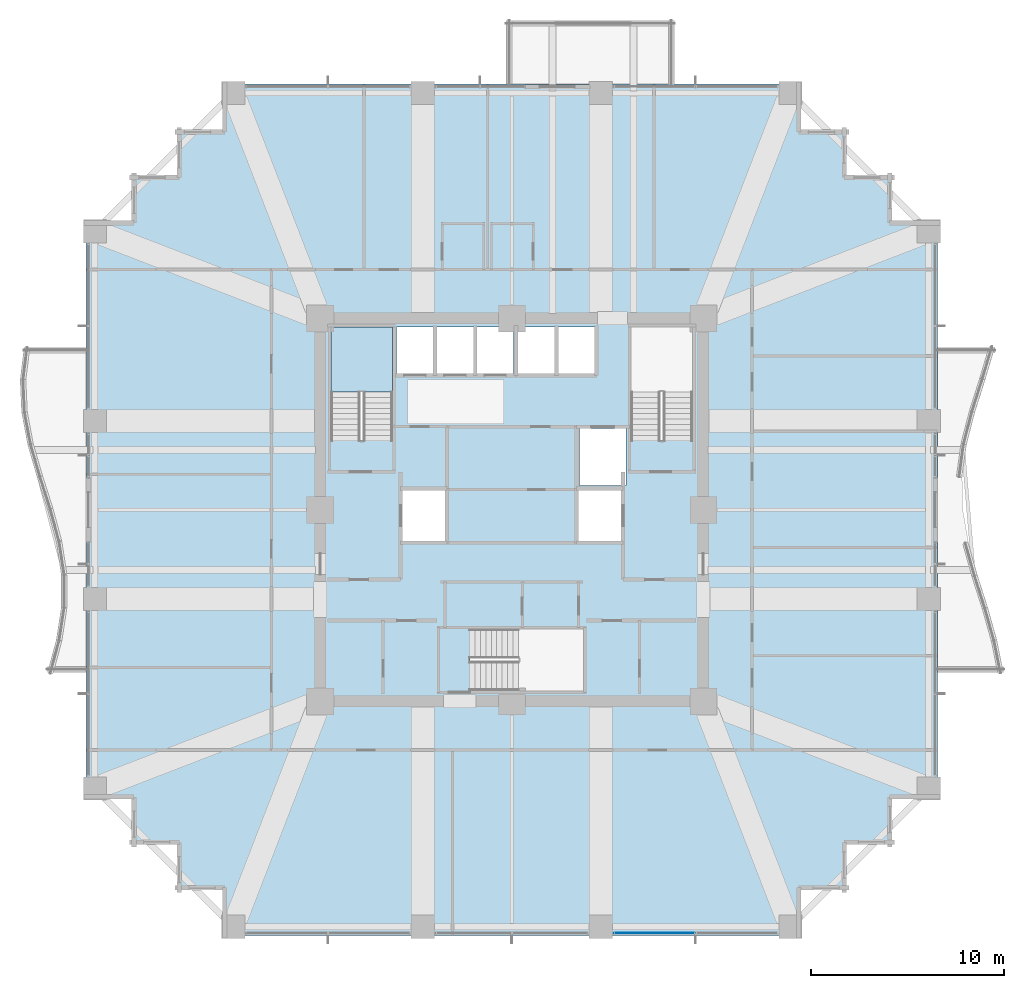
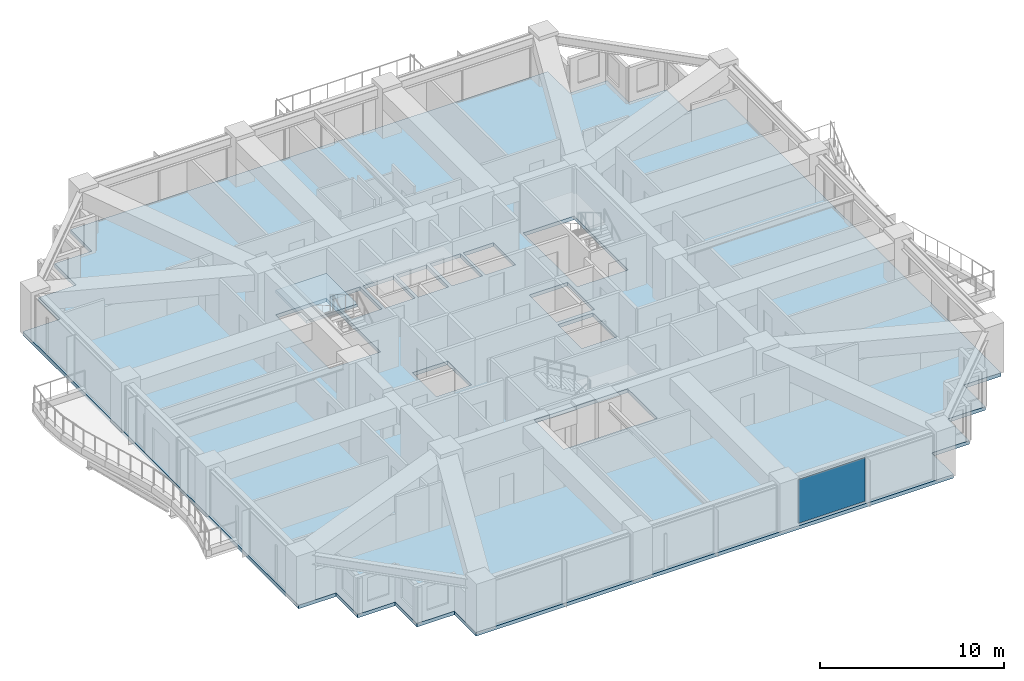
# One storey, part 29 of 39: 2 slabs, 1 plate, 2 elements without a shape of their own.
"""IFC4 building model written with IfcOpenShell, lengths in metres."""

from ifc_helpers import new_model, si_unit, direction, frame, origin, origin_2d, place, context, subcontext, project, spatial, polyline, rectangle, outline, extrude, material, layer, layer_set, type_object, element, aggregate, save


model = new_model("IFC4")

# Units and contexts
model_context = context("Model", 3, precision=1e-05, world=origin(), true_north=direction((0.0, 1.0)))
body_context = subcontext(model_context, "Body", "Model", "MODEL_VIEW")
ifc_project = project(units=[si_unit("LENGTHUNIT", "METRE"), si_unit("AREAUNIT", "SQUARE_METRE"), si_unit("VOLUMEUNIT", "CUBIC_METRE"), si_unit("PLANEANGLEUNIT", "RADIAN"), si_unit("MASSUNIT", "GRAM", prefix="KILO")], contexts=[model_context])

# Site, building, storey
site_placement = place(None, origin())
site = spatial("IfcSite", under=ifc_project, at=site_placement, CompositionType="ELEMENT")
building_placement = place(site_placement, origin())
building = spatial("IfcBuilding", under=site, at=building_placement, Name="Kolvaren Belvedere", CompositionType="ELEMENT")
storey_placement = place(building_placement, frame((0.0, 0.0, 33.699951171875)))
storey = spatial("IfcBuildingStorey", under=building, at=storey_placement, Name="L09", CompositionType="ELEMENT", Elevation=33.699951171875)

# Curtain wall, plate
ifc_material_1 = material(Name="Anodised pale-metal aluminium AA 6063-T6", Category="aluminium")
curtain_wall_type = type_object("IfcCurtainWallType", Name="CW-Z1-LOW", PredefinedType="NOTDEFINED", material=ifc_material_1)
curtain_wall_placement = place(storey_placement, origin())
curtain_wall = element("IfcCurtainWall", 1, at=curtain_wall_placement, inside=storey, type_object=curtain_wall_type, Name="L09 Unitised Curtain Wall FCW-L09-S-B1", PredefinedType="NOTDEFINED")
ifc_material_2 = material(Name="Low-iron triple insulated glass", Category="glass")
ifc_layer_1 = layer(ifc_material_2, 0.028076171875)
ifc_layer_set_1 = layer_set([ifc_layer_1], Name="Low-iron triple insulated glass")
plate_type = type_object("IfcPlateType", Name="CW-PNL-VIS28", PredefinedType="CURTAIN_PANEL", material=ifc_layer_set_1)
plate_placement = place(storey_placement, frame((7.37744140625, -21.8798828125, 0.080078125), z_axis=(0.0, 0.0, 1.0), x_axis=(-1.0, 0.0, 0.0)))
plate = element("IfcPlate", 2, at=plate_placement, type_object=plate_type, Name="FCW-L09-S-B1 Vision Glazing Panel 2", PredefinedType="CURTAIN_PANEL", context=body_context, shape_type="SweptSolid", body=[
    extrude(rectangle(XDim=4.1650390625, YDim=0.028076171875, at=origin_2d()), origin(), (0.0, 0.0, 1.0), 2.89990234375),
])
aggregate(curtain_wall, [plate])

# Slab
ifc_material_3 = material(Name="Concrete C50/60", Category="concrete")
ifc_layer_2 = layer(ifc_material_3, 0.239990234375)
ifc_layer_set_2 = layer_set([ifc_layer_2], Name="Concrete C50/60")
slab_type_1 = type_object("IfcSlabType", Name="SL-FLR-240", PredefinedType="FLOOR", material=ifc_layer_set_2)
slab_1_placement = place(storey_placement, frame((0.0, 0.0, -0.239990234375)))
element("IfcSlab", 3, at=slab_1_placement, inside=storey, type_object=slab_type_1, Name="L09 Primary Structural Slab", PredefinedType="FLOOR", context=body_context, shape_type="SweptSolid", body=[
    extrude(outline(polyline([(-14.949951171875, -22.0), (14.949951171875, -22.0), (14.949951171875, -19.64990234375), (17.300048828125, -19.64990234375), (17.300048828125, -17.300048828125), (19.64990234375, -17.300048828125), (19.64990234375, -14.949951171875), (22.0, -14.949951171875), (22.0, 14.949951171875), (19.64990234375, 14.949951171875), (19.64990234375, 17.300048828125), (17.300048828125, 17.300048828125), (17.300048828125, 19.64990234375), (14.949951171875, 19.64990234375), (14.949951171875, 22.0), (-14.949951171875, 22.0), (-14.949951171875, 19.64990234375), (-17.300048828125, 19.64990234375), (-17.300048828125, 17.300048828125), (-19.64990234375, 17.300048828125), (-19.64990234375, 14.949951171875), (-22.0, 14.949951171875), (-22.0, -14.949951171875), (-19.64990234375, -14.949951171875), (-19.64990234375, -17.300048828125), (-17.300048828125, -17.300048828125), (-17.300048828125, -19.64990234375), (-14.949951171875, -19.64990234375), (-14.949951171875, -22.0)]), holes=[polyline([(-9.35009765625, 3.580078125), (-6.159912109375, 3.580078125), (-6.159912109375, 9.449951171875), (-9.35009765625, 9.449951171875), (-9.35009765625, 3.580078125)]), polyline([(6.159912109375, 3.580078125), (9.35009765625, 3.580078125), (9.35009765625, 9.449951171875), (6.159912109375, 9.449951171875), (6.159912109375, 3.580078125)]), polyline([(-2.169921875, -9.35009765625), (3.699951171875, -9.35009765625), (3.699951171875, -6.159912109375), (-2.169921875, -6.159912109375), (-2.169921875, -9.35009765625)]), polyline([(-5.64990234375, -1.60009765625), (-3.449951171875, -1.60009765625), (-3.449951171875, 1.0), (-5.64990234375, 1.0), (-5.64990234375, -1.60009765625)]), polyline([(3.5, 1.25), (5.89990234375, 1.25), (5.89990234375, 4.199951171875), (3.5, 4.199951171875), (3.5, 1.25)]), polyline([(3.449951171875, -1.60009765625), (5.64990234375, -1.60009765625), (5.64990234375, 1.0), (3.449951171875, 1.0), (3.449951171875, -1.60009765625)]), polyline([(-5.9599609375, 7.050048828125), (-4.06005859375, 7.050048828125), (-4.06005859375, 9.449951171875), (-5.9599609375, 9.449951171875), (-5.9599609375, 7.050048828125)]), polyline([(-3.8798828125, 7.050048828125), (-1.97998046875, 7.050048828125), (-1.97998046875, 9.449951171875), (-3.8798828125, 9.449951171875), (-3.8798828125, 7.050048828125)]), polyline([(-1.800048828125, 7.050048828125), (0.10009765625, 7.050048828125), (0.10009765625, 9.449951171875), (-1.800048828125, 9.449951171875), (-1.800048828125, 7.050048828125)]), polyline([(0.320068359375, 7.050048828125), (2.219970703125, 7.050048828125), (2.219970703125, 9.449951171875), (0.320068359375, 9.449951171875), (0.320068359375, 7.050048828125)]), polyline([(2.39990234375, 7.050048828125), (4.300048828125, 7.050048828125), (4.300048828125, 9.449951171875), (2.39990234375, 9.449951171875), (2.39990234375, 7.050048828125)])]), origin(), (0.0, 0.0, 1.0), 0.239990234375),
])

# Stair, slab
ifc_material_4 = material(Name="Concrete C50/60", Category="concrete")
stair_type = type_object("IfcStairType", Name="ST-CORE-1520", PredefinedType="HALF_TURN_STAIR", material=ifc_material_4)
stair_placement = place(storey_placement, origin())
stair = element("IfcStair", 4, at=stair_placement, inside=storey, type_object=stair_type, Name="L09 Protected Exit Stair ST-1", PredefinedType="HALF_TURN_STAIR")
ifc_material_5 = material(Name="Concrete C50/60", Category="concrete")
ifc_layer_3 = layer(ifc_material_5, 0.260009765625)
ifc_layer_set_3 = layer_set([ifc_layer_3], Name="Concrete C50/60")
slab_type_2 = type_object("IfcSlabType", Name="SL-LAND-260", PredefinedType="LANDING", material=ifc_layer_set_3)
slab_2_placement = place(storey_placement, frame((0.0, 0.0, 1.449951171875)))
slab_2 = element("IfcSlab", 5, at=slab_2_placement, type_object=slab_type_2, Name="ST-1 landing 1", PredefinedType="LANDING", context=body_context, shape_type="SweptSolid", body=[
    extrude(outline(polyline([(-6.159912109375, 6.090087890625), (-6.159912109375, 9.449951171875), (-9.35009765625, 9.449951171875), (-9.35009765625, 6.090087890625), (-6.159912109375, 6.090087890625)])), origin(), (0.0, 0.0, 1.0), 0.2001953125),
])
aggregate(stair, [slab_2])

save(model, "model.ifc")
